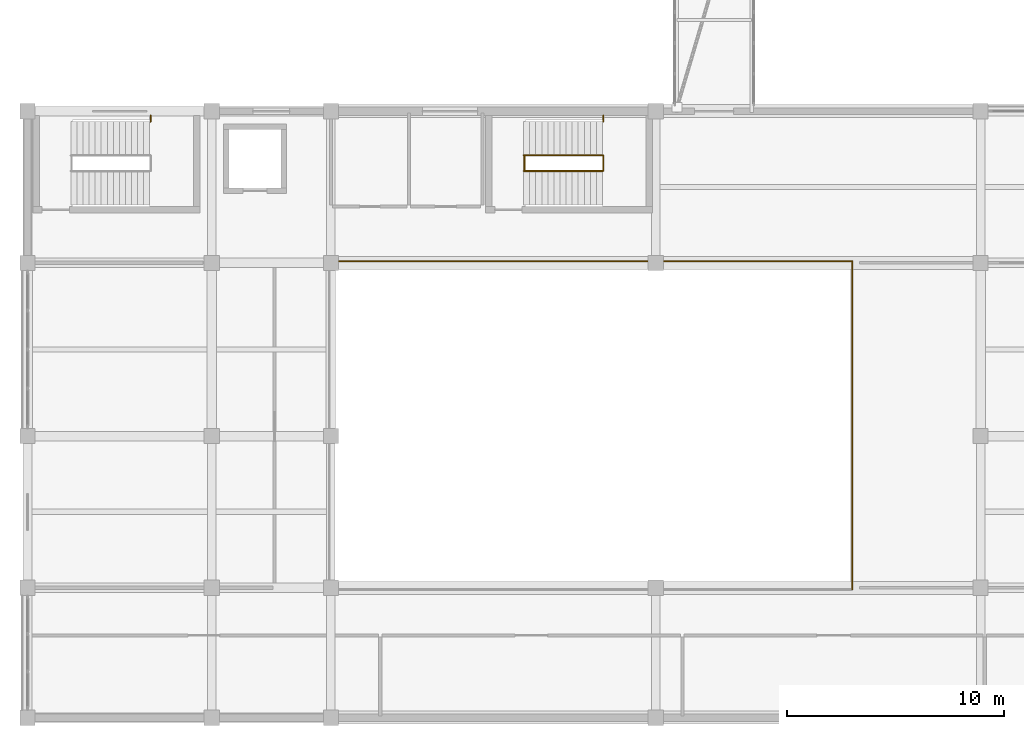
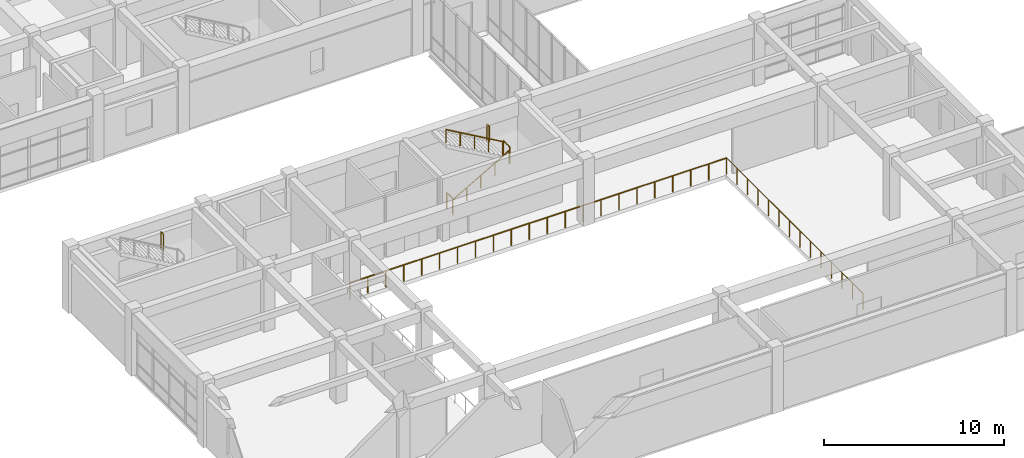
# One storey, part 60 of 70: 8 railings.
"""IFC4 building model written with IfcOpenShell, lengths in metres."""

import ifcopenshell
import ifcopenshell.guid

model = None  # the IFC model being written
_history = None  # IfcOwnerHistory: only IFC2X3 demands one
_inside = {}  # id of a spatial element -> (the spatial element, [elements in it])
_under = {}  # id of a project, library or spatial element -> (it, [spatial elements below it])
_declared = {}  # id of a project -> (the project, [libraries it declares])
_typed = {}  # id of a type object -> (the type object, [elements of that type])
_made_of = {}  # id of a material, layer set ... -> (it, [elements and type objects made of it])


def new_model(schema):
    """Start an empty IFC model of exactly this schema.

    Asked for "IFC4X3", IfcOpenShell would pick the latest addendum, in which some entities
    have other attributes; the version numbers below select the first issue.
    IFC2X3 requires an IfcOwnerHistory on every rooted entity: one is made here for all.
    """
    global model, _history
    if schema == "IFC4X3":
        model = ifcopenshell.file(schema_version=(4, 3, 0, 0))
    else:
        model = ifcopenshell.file(schema=schema)
    _inside.clear()
    _under.clear()
    _declared.clear()
    _typed.clear()
    _made_of.clear()
    _history = None
    if model.schema == "IFC2X3":
        org = make("IfcOrganization", Name="unknown")
        user = make(
            "IfcPersonAndOrganization",
            ThePerson=make("IfcPerson", FamilyName="unknown"),
            TheOrganization=org,
        )
        app = make(
            "IfcApplication",
            ApplicationDeveloper=org,
            Version="unknown",
            ApplicationFullName="unknown",
            ApplicationIdentifier="unknown",
        )
        _history = make(
            "IfcOwnerHistory",
            OwningUser=user,
            OwningApplication=app,
            ChangeAction="ADDED",
            CreationDate=0,
        )
    return model


def make(cls, **values):
    """One entity of the class cls with the attributes given. An attribute that is None is left unset."""
    return model.create_entity(
        cls, **{name: value for name, value in values.items() if value is not None}
    )


def rooted(cls, **values):
    """An entity with a GlobalId (a new one), such as an element, a storey or a relation."""
    return make(cls, GlobalId=ifcopenshell.guid.new(), OwnerHistory=_history, **values)


def si_unit(unit_type, name, prefix=None):
    """IfcSIUnit, for example si_unit("LENGTHUNIT", "METRE", prefix="MILLI")."""
    return make("IfcSIUnit", UnitType=unit_type, Prefix=prefix, Name=name)


def assignment(units):
    """IfcUnitAssignment: the units of a project."""
    return None if units is None else make("IfcUnitAssignment", Units=units)


def point(xyz):
    """IfcCartesianPoint."""
    return None if xyz is None else make("IfcCartesianPoint", Coordinates=xyz)


def direction(xyz):
    """IfcDirection."""
    return None if xyz is None else make("IfcDirection", DirectionRatios=xyz)


def frame(location, z_axis=None, x_axis=None):
    """IfcAxis2Placement3D, a coordinate frame: its origin and axes. An axis left out is left unset."""
    return make(
        "IfcAxis2Placement3D",
        Location=point(location),
        Axis=direction(z_axis),
        RefDirection=direction(x_axis),
    )


def frame_2d(location, x_axis=None):
    """IfcAxis2Placement2D, a coordinate frame in the plane: its origin and x axis."""
    return make(
        "IfcAxis2Placement2D", Location=point(location), RefDirection=direction(x_axis)
    )


def origin():
    """The frame at (0, 0, 0) with its axes left unset."""
    return frame((0.0, 0.0, 0.0))


def origin_2d():
    """The frame at (0, 0) in the plane with its x axis left unset."""
    return frame_2d((0.0, 0.0))


def place(relative_to, where):
    """IfcLocalPlacement: puts the frame where relative to a parent placement (None: the world)."""
    return make(
        "IfcLocalPlacement", PlacementRelTo=relative_to, RelativePlacement=where
    )


def context(
    kind, dimensions, precision=None, world=None, true_north=None, identifier=None
):
    """IfcGeometricRepresentationContext, for example the 3D "Model" context."""
    return make(
        "IfcGeometricRepresentationContext",
        ContextIdentifier=identifier,
        ContextType=kind,
        CoordinateSpaceDimension=dimensions,
        Precision=precision,
        WorldCoordinateSystem=world,
        TrueNorth=true_north,
    )


def subcontext(parent, identifier, kind, view, scale=None):
    """IfcGeometricRepresentationSubContext, for example "Body" below "Model"."""
    return make(
        "IfcGeometricRepresentationSubContext",
        ContextIdentifier=identifier,
        ContextType=kind,
        ParentContext=parent,
        TargetScale=scale,
        TargetView=view,
    )


def project(units=None, contexts=None):
    """IfcProject with its units and contexts."""
    return rooted(
        "IfcProject",
        Name="project",
        RepresentationContexts=contexts,
        UnitsInContext=assignment(units),
    )


def spatial(cls, under=None, at=None, **own):
    """A site, building, storey or space (cls), placed at a placement, below another one or the project."""
    s = rooted(cls, ObjectPlacement=at, **own)
    if under is not None:
        _under.setdefault(under.id(), (under, []))[1].append(s)
    return s


def profile(cls, at=None, kind="AREA", **sizes):
    """A parametric profile (cls). Its sizes go by their IFC names, for example OverallWidth=200.0."""
    return make(cls, ProfileType=kind, Position=at, **sizes)


def circle(**sizes):
    """IfcCircleProfileDef."""
    return profile("IfcCircleProfileDef", **sizes)


def extrude(swept, where, along, depth):
    """IfcExtrudedAreaSolid: the profile swept, set in the frame where, extruded along a direction by depth."""
    return make(
        "IfcExtrudedAreaSolid",
        SweptArea=swept,
        Position=where,
        ExtrudedDirection=direction(along),
        Depth=depth,
    )


def shape(context_of_items, identifier, shape_type, items):
    """IfcShapeRepresentation: the items that make up one representation, for example the "Body"."""
    return make(
        "IfcShapeRepresentation",
        ContextOfItems=context_of_items,
        RepresentationIdentifier=identifier,
        RepresentationType=shape_type,
        Items=items,
    )


def material(Name=None, Category=None):
    """IfcMaterial."""
    return make("IfcMaterial", Name=Name, Category=Category)


def made_of(thing, what):
    """Note that an element or type object is made of a material, layer set ...; save() writes the relation."""
    if what is not None:
        _made_of.setdefault(what.id(), (what, []))[1].append(thing)
    return thing


def type_object(cls, material=None, **own):
    """A type object (cls), such as IfcWallType, which elements share."""
    return made_of(rooted(cls, **own), material)


def element(
    cls,
    number,
    at=None,
    inside=None,
    cuts=None,
    type_object=None,
    material=None,
    context=None,
    identifier="Body",
    shape_type=None,
    held_by="IfcProductDefinitionShape",
    body=None,
    shapes=None,
    **own,
):
    """One element of the class cls, such as IfcWall. Its Tag is "e" and its number.

    at: its placement. inside: the storey or other place that contains it. cuts: it is an
    opening in that element (IfcRelVoidsElement). A single representation is given by context,
    identifier, shape_type and body (its items); several are given by shapes. held_by: the class
    of the entity that holds the representations. save() writes the other relations.
    """
    e = rooted(cls, Tag="e%d" % number, ObjectPlacement=at, **own)
    if body is not None:
        shapes = [shape(context, identifier, shape_type, body)]
    if shapes is not None:
        e.Representation = make(held_by, Representations=shapes)
    if inside is not None:
        _inside.setdefault(inside.id(), (inside, []))[1].append(e)
    if cuts is not None:
        rooted(
            "IfcRelVoidsElement", RelatingBuildingElement=cuts, RelatedOpeningElement=e
        )
    if type_object is not None:
        _typed.setdefault(type_object.id(), (type_object, []))[1].append(e)
    return made_of(e, material)


def aggregate(whole, parts):
    """IfcRelAggregates: a whole, such as a stair, and the parts it consists of."""
    return rooted("IfcRelAggregates", RelatingObject=whole, RelatedObjects=parts)


def save(model, path):
    """Write the relations noted so far, then the file.

    IfcRelAggregates (storeys below a building ...), IfcRelContainedInSpatialStructure (elements
    in a storey), IfcRelDefinesByType, IfcRelAssociatesMaterial and IfcRelDeclares: one each for
    every whole, place, type object, material and project.
    """
    for whole, parts in _under.values():
        aggregate(whole, parts)
    for where, things in _inside.values():
        rooted(
            "IfcRelContainedInSpatialStructure",
            RelatedElements=things,
            RelatingStructure=where,
        )
    for kind, things in _typed.values():
        rooted("IfcRelDefinesByType", RelatedObjects=things, RelatingType=kind)
    for what, things in _made_of.values():
        rooted("IfcRelAssociatesMaterial", RelatedObjects=things, RelatingMaterial=what)
    for by, libraries in _declared.values():
        rooted("IfcRelDeclares", RelatingContext=by, RelatedDefinitions=libraries)
    model.write(path)


model = new_model("IFC4")

# Units and contexts
model_context = context("Model", 3, precision=1e-05, world=origin(), true_north=direction((0.0, 1.0)))
body_context = subcontext(model_context, "Body", "Model", "MODEL_VIEW")
ifc_project = project(units=[si_unit("LENGTHUNIT", "METRE"), si_unit("AREAUNIT", "SQUARE_METRE"), si_unit("VOLUMEUNIT", "CUBIC_METRE"), si_unit("PLANEANGLEUNIT", "RADIAN"), si_unit("MASSUNIT", "GRAM", prefix="KILO")], contexts=[model_context])

# Site, building, storey
site_placement = place(None, origin())
site = spatial("IfcSite", under=ifc_project, at=site_placement, CompositionType="ELEMENT")
building_placement = place(site_placement, origin())
building = spatial("IfcBuilding", under=site, at=building_placement, Name="Naurynzar Civic Courthouse", CompositionType="ELEMENT")
storey_placement = place(building_placement, frame((0.0, 0.0, 5.39990234375)))
storey = spatial("IfcBuildingStorey", under=building, at=storey_placement, Name="L02", CompositionType="ELEMENT", Elevation=5.39990234375)

# Railings
ifc_material_1 = material(Name="Brushed Stainless Steel 304", Category="steel")
railing_type_1 = type_object("IfcRailingType", Name="RAIL-BAL-1100", PredefinedType="BALUSTRADE", material=ifc_material_1)
railing_1_placement = place(storey_placement, frame((44.080078125, 9.919921875, 0.0)))
element("IfcRailing", 1, at=railing_1_placement, inside=storey, type_object=railing_type_1, Name="Atrium gallery balustrade guard GR-VOID-V4-L02.2", PredefinedType="BALUSTRADE", context=body_context, shape_type="SweptSolid", body=[
    extrude(circle(Radius=0.02392578125, at=origin_2d()), frame((0.0, 0.0, 1.09619140625), z_axis=(0.0, 1.0, 0.0), x_axis=(-1.0, 0.0, 0.0)), (0.0, 0.0, 1.0), 15.16015625),
    extrude(circle(Radius=0.02099609375, at=origin_2d()), origin(), (0.0, 0.0, 1.0), 1.072021484375),
    extrude(circle(Radius=0.02099609375, at=origin_2d()), frame((0.0, 1.166259765625, 0.0)), (0.0, 0.0, 1.0), 1.072021484375),
    extrude(circle(Radius=0.02099609375, at=origin_2d()), frame((0.0, 2.332275390625, 0.0)), (0.0, 0.0, 1.0), 1.072021484375),
    extrude(circle(Radius=0.02099609375, at=origin_2d()), frame((0.0, 3.49853515625, 0.0)), (0.0, 0.0, 1.0), 1.072021484375),
    extrude(circle(Radius=0.02099609375, at=origin_2d()), frame((0.0, 4.66455078125, 0.0)), (0.0, 0.0, 1.0), 1.072021484375),
    extrude(circle(Radius=0.02099609375, at=origin_2d()), frame((0.0, 5.830810546875, 0.0)), (0.0, 0.0, 1.0), 1.072021484375),
    extrude(circle(Radius=0.02099609375, at=origin_2d()), frame((0.0, 6.9970703125, 0.0)), (0.0, 0.0, 1.0), 1.072021484375),
    extrude(circle(Radius=0.02099609375, at=origin_2d()), frame((0.0, 8.1630859375, 0.0)), (0.0, 0.0, 1.0), 1.072021484375),
    extrude(circle(Radius=0.02099609375, at=origin_2d()), frame((0.0, 9.329345703125, 0.0)), (0.0, 0.0, 1.0), 1.072021484375),
    extrude(circle(Radius=0.02099609375, at=origin_2d()), frame((0.0, 10.49560546875, 0.0)), (0.0, 0.0, 1.0), 1.072021484375),
    extrude(circle(Radius=0.02099609375, at=origin_2d()), frame((0.0, 11.66162109375, 0.0)), (0.0, 0.0, 1.0), 1.072021484375),
    extrude(circle(Radius=0.02099609375, at=origin_2d()), frame((0.0, 12.827880859375, 0.0)), (0.0, 0.0, 1.0), 1.072021484375),
    extrude(circle(Radius=0.02099609375, at=origin_2d()), frame((0.0, 13.993896484375, 0.0)), (0.0, 0.0, 1.0), 1.072021484375),
    extrude(circle(Radius=0.02099609375, at=origin_2d()), frame((0.0, 15.16015625, 0.0)), (0.0, 0.0, 1.0), 1.072021484375),
])
railing_2_placement = place(storey_placement, frame((44.080078125, 25.080078125, 0.0)))
element("IfcRailing", 2, at=railing_2_placement, inside=storey, type_object=railing_type_1, Name="Atrium gallery balustrade guard GR-VOID-V4-L02.3", PredefinedType="BALUSTRADE", context=body_context, shape_type="SweptSolid", body=[
    extrude(circle(Radius=0.02392578125, at=origin_2d()), frame((0.0, 0.0, 1.09619140625), z_axis=(-1.0, 0.0, 0.0), x_axis=(0.0, -1.0, 0.0)), (0.0, 0.0, 1.0), 24.16015625),
    extrude(circle(Radius=0.02099609375, at=origin_2d()), origin(), (0.0, 0.0, 1.0), 1.072021484375),
    extrude(circle(Radius=0.02099609375, at=origin_2d()), frame((-1.150390625, 0.0, 0.0)), (0.0, 0.0, 1.0), 1.072021484375),
    extrude(circle(Radius=0.02099609375, at=origin_2d()), frame((-2.301025390625, 0.0, 0.0)), (0.0, 0.0, 1.0), 1.072021484375),
    extrude(circle(Radius=0.02099609375, at=origin_2d()), frame((-3.451416015625, 0.0, 0.0)), (0.0, 0.0, 1.0), 1.072021484375),
    extrude(circle(Radius=0.02099609375, at=origin_2d()), frame((-4.60205078125, 0.0, 0.0)), (0.0, 0.0, 1.0), 1.072021484375),
    extrude(circle(Radius=0.02099609375, at=origin_2d()), frame((-5.75244140625, 0.0, 0.0)), (0.0, 0.0, 1.0), 1.072021484375),
    extrude(circle(Radius=0.02099609375, at=origin_2d()), frame((-6.90283203125, 0.0, 0.0)), (0.0, 0.0, 1.0), 1.072021484375),
    extrude(circle(Radius=0.02099609375, at=origin_2d()), frame((-8.053466796875, 0.0, 0.0)), (0.0, 0.0, 1.0), 1.072021484375),
    extrude(circle(Radius=0.02099609375, at=origin_2d()), frame((-9.203857421875, 0.0, 0.0)), (0.0, 0.0, 1.0), 1.072021484375),
    extrude(circle(Radius=0.02099609375, at=origin_2d()), frame((-10.354248046875, 0.0, 0.0)), (0.0, 0.0, 1.0), 1.072021484375),
    extrude(circle(Radius=0.02099609375, at=origin_2d()), frame((-11.5048828125, 0.0, 0.0)), (0.0, 0.0, 1.0), 1.072021484375),
    extrude(circle(Radius=0.02099609375, at=origin_2d()), frame((-12.6552734375, 0.0, 0.0)), (0.0, 0.0, 1.0), 1.072021484375),
    extrude(circle(Radius=0.02099609375, at=origin_2d()), frame((-13.805908203125, 0.0, 0.0)), (0.0, 0.0, 1.0), 1.072021484375),
    extrude(circle(Radius=0.02099609375, at=origin_2d()), frame((-14.956298828125, 0.0, 0.0)), (0.0, 0.0, 1.0), 1.072021484375),
    extrude(circle(Radius=0.02099609375, at=origin_2d()), frame((-16.106689453125, 0.0, 0.0)), (0.0, 0.0, 1.0), 1.072021484375),
    extrude(circle(Radius=0.02099609375, at=origin_2d()), frame((-17.25732421875, 0.0, 0.0)), (0.0, 0.0, 1.0), 1.072021484375),
    extrude(circle(Radius=0.02099609375, at=origin_2d()), frame((-18.40771484375, 0.0, 0.0)), (0.0, 0.0, 1.0), 1.072021484375),
    extrude(circle(Radius=0.02099609375, at=origin_2d()), frame((-19.55810546875, 0.0, 0.0)), (0.0, 0.0, 1.0), 1.072021484375),
    extrude(circle(Radius=0.02099609375, at=origin_2d()), frame((-20.708740234375, 0.0, 0.0)), (0.0, 0.0, 1.0), 1.072021484375),
    extrude(circle(Radius=0.02099609375, at=origin_2d()), frame((-21.859130859375, 0.0, 0.0)), (0.0, 0.0, 1.0), 1.072021484375),
    extrude(circle(Radius=0.02099609375, at=origin_2d()), frame((-23.009765625, 0.0, 0.0)), (0.0, 0.0, 1.0), 1.072021484375),
    extrude(circle(Radius=0.02099609375, at=origin_2d()), frame((-24.16015625, 0.0, 0.0)), (0.0, 0.0, 1.0), 1.072021484375),
])
railing_3_placement = place(storey_placement, frame((11.679931640625, 31.52001953125, 2.25)))
element("IfcRailing", 3, at=railing_3_placement, inside=storey, type_object=railing_type_1, Name="Stair ST-V4A-L02 half-landing north slot guard", PredefinedType="BALUSTRADE", context=body_context, shape_type="SweptSolid", body=[
    extrude(circle(Radius=0.02392578125, at=origin_2d()), frame((0.0, 0.0, 1.09619140625), z_axis=(0.0, 1.0, 0.0), x_axis=(-1.0, 0.0, 0.0)), (0.0, 0.0, 1.0), 0.284912109375),
    extrude(circle(Radius=0.02099609375, at=origin_2d()), origin(), (0.0, 0.0, 1.0), 1.072021484375),
    extrude(circle(Radius=0.02099609375, at=origin_2d()), frame((0.0, 0.284912109375, 0.0)), (0.0, 0.0, 1.0), 1.072021484375),
])
for number, where, name in (
    (4, (28.93994140625, 29.239990234375, 0.0), "Stair ST-V4B floor well slot guard L02"),
    (5, (32.580078125, 29.239990234375, 2.25), "Stair ST-V4B-L02 half-landing well guard"),
):
    element("IfcRailing", number, at=place(storey_placement, frame(where)), inside=storey, type_object=railing_type_1, Name=name, PredefinedType="BALUSTRADE", context=body_context, shape_type="SweptSolid", body=[
        extrude(circle(Radius=0.02392578125, at=origin_2d()), frame((0.0, 0.0, 1.09619140625), z_axis=(0.0, 1.0, 0.0), x_axis=(-1.0, 0.0, 0.0)), (0.0, 0.0, 1.0), 0.719970703125),
        extrude(circle(Radius=0.02099609375, at=origin_2d()), origin(), (0.0, 0.0, 1.0), 1.072021484375),
        extrude(circle(Radius=0.02099609375, at=origin_2d()), frame((0.0, 0.719970703125, 0.0)), (0.0, 0.0, 1.0), 1.072021484375),
    ])
railing_4_placement = place(storey_placement, frame((32.580078125, 31.52001953125, 2.25)))
element("IfcRailing", 6, at=railing_4_placement, inside=storey, type_object=railing_type_1, Name="Stair ST-V4B-L02 half-landing north slot guard", PredefinedType="BALUSTRADE", context=body_context, shape_type="SweptSolid", body=[
    extrude(circle(Radius=0.02392578125, at=origin_2d()), frame((0.0, 0.0, 1.09619140625), z_axis=(0.0, 1.0, 0.0), x_axis=(-1.0, 0.0, 0.0)), (0.0, 0.0, 1.0), 0.284912109375),
    extrude(circle(Radius=0.02099609375, at=origin_2d()), origin(), (0.0, 0.0, 1.0), 1.072021484375),
    extrude(circle(Radius=0.02099609375, at=origin_2d()), frame((0.0, 0.284912109375, 0.0)), (0.0, 0.0, 1.0), 1.072021484375),
])
ifc_material_2 = material(Name="Brushed Stainless Steel 304", Category="steel")
railing_type_2 = type_object("IfcRailingType", Name="RAIL-HR-900", PredefinedType="HANDRAIL", material=ifc_material_2)
railing_5_placement = place(storey_placement, frame((28.89990234375, 29.239990234375, 0.160888671875)))
element("IfcRailing", 7, at=railing_5_placement, inside=storey, type_object=railing_type_2, Name="Stair ST-V4B-L02 flight 1 handrail", PredefinedType="HANDRAIL", context=body_context, shape_type="SweptSolid", body=[
    extrude(circle(Radius=0.02392578125, at=origin_2d()), frame((0.0, 0.0, 0.8759765625), z_axis=(0.867314486057, 0.0, 0.497760567216), x_axis=(0.0, 1.0, 0.0)), (0.0, 0.0, 1.0), 4.197021484375),
    extrude(circle(Radius=0.02099609375, at=origin_2d()), origin(), (0.0, 0.0, 1.0), 0.851806640625),
    extrude(circle(Radius=0.02099609375, at=origin_2d()), frame((0.91015625, 0.0, 0.522216796875)), (0.0, 0.0, 1.0), 0.851806640625),
    extrude(circle(Radius=0.02099609375, at=origin_2d()), frame((1.820068359375, 0.0, 1.04443359375)), (0.0, 0.0, 1.0), 0.851806640625),
    extrude(circle(Radius=0.02099609375, at=origin_2d()), frame((2.72998046875, 0.0, 1.56689453125)), (0.0, 0.0, 1.0), 0.851806640625),
    extrude(circle(Radius=0.02099609375, at=origin_2d()), frame((3.64013671875, 0.0, 2.089111328125)), (0.0, 0.0, 1.0), 0.851806640625),
])
railing_6_placement = place(storey_placement, frame((32.5400390625, 29.9599609375, 2.410888671875)))
element("IfcRailing", 8, at=railing_6_placement, inside=storey, type_object=railing_type_2, Name="Stair ST-V4B-L02 flight 2 handrail", PredefinedType="HANDRAIL", context=body_context, shape_type="SweptSolid", body=[
    extrude(circle(Radius=0.02392578125, at=origin_2d()), frame((0.0, 0.0, 0.8759765625), z_axis=(-0.867314486057, 0.0, 0.497760567216), x_axis=(0.0, -1.0, 0.0)), (0.0, 0.0, 1.0), 4.197021484375),
    extrude(circle(Radius=0.02099609375, at=origin_2d()), origin(), (0.0, 0.0, 1.0), 0.851806640625),
    extrude(circle(Radius=0.02099609375, at=origin_2d()), frame((-0.91015625, 0.0, 0.522216796875)), (0.0, 0.0, 1.0), 0.851806640625),
    extrude(circle(Radius=0.02099609375, at=origin_2d()), frame((-1.820068359375, 0.0, 1.04443359375)), (0.0, 0.0, 1.0), 0.851806640625),
    extrude(circle(Radius=0.02099609375, at=origin_2d()), frame((-2.72998046875, 0.0, 1.56689453125)), (0.0, 0.0, 1.0), 0.851806640625),
    extrude(circle(Radius=0.02099609375, at=origin_2d()), frame((-3.64013671875, 0.0, 2.089111328125)), (0.0, 0.0, 1.0), 0.851806640625),
])

save(model, "model.ifc")
